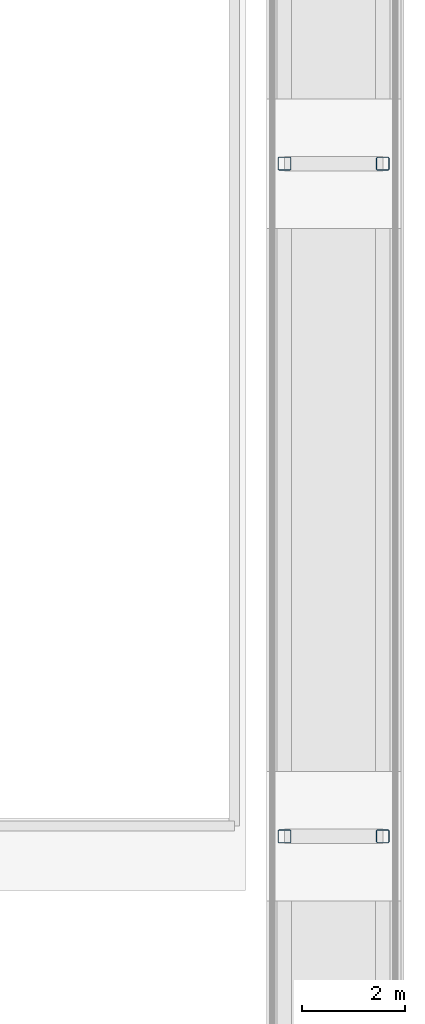
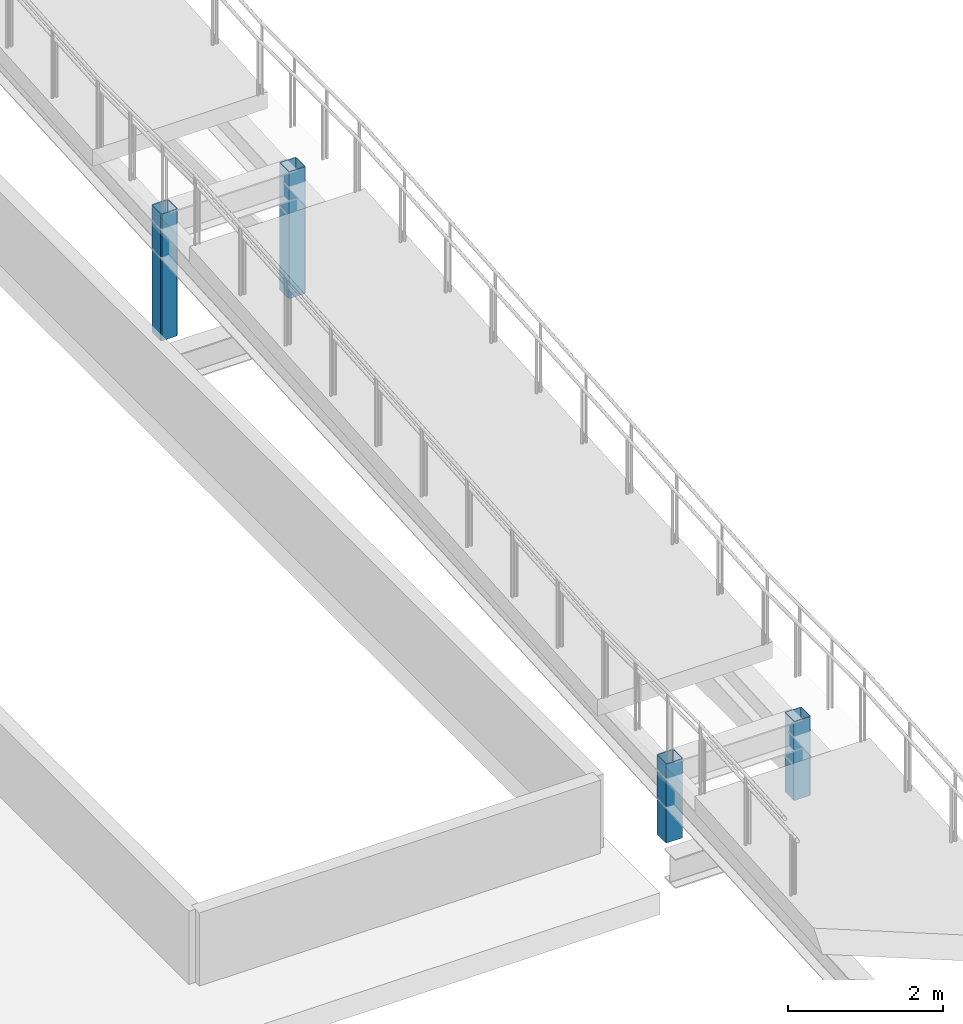
# One storey, part 13 of 129: 4 columns.
"""IFC4 building model written with IfcOpenShell, lengths in metres."""

from ifc_helpers import new_model, si_unit, direction, frame, origin, origin_2d, place, context, subcontext, project, spatial, hollow_rectangle, extrude, material, material_profile, profile_set, type_object, element, save


model = new_model("IFC4")

# Units and contexts
model_context = context("Model", 3, precision=1e-05, world=origin(), true_north=direction((0.0, 1.0)))
body_context = subcontext(model_context, "Body", "Model", "MODEL_VIEW")
ifc_project = project(units=[si_unit("LENGTHUNIT", "METRE"), si_unit("AREAUNIT", "SQUARE_METRE"), si_unit("VOLUMEUNIT", "CUBIC_METRE"), si_unit("PLANEANGLEUNIT", "RADIAN"), si_unit("MASSUNIT", "GRAM", prefix="KILO")], contexts=[model_context])

# Site, building, storey
site_placement = place(None, origin())
site = spatial("IfcSite", under=ifc_project, at=site_placement, CompositionType="ELEMENT")
building_placement = place(site_placement, origin())
building = spatial("IfcBuilding", under=site, at=building_placement, Name="Vespera Passage Community Centre", CompositionType="ELEMENT")
storey_placement = place(building_placement, origin())
storey = spatial("IfcBuildingStorey", under=building, at=storey_placement, Name="L00", CompositionType="ELEMENT", Elevation=0.0)

# Columns
ifc_material = material(Name="Steel ASTM A500 Grade C", Category="steel")
ifc_material_profile = material_profile(ifc_material, hollow_rectangle(XDim=0.25390625, YDim=0.25390625, WallThickness=0.01171875, InnerFilletRadius=0.01171875, OuterFilletRadius=0.023681640625, at=origin_2d()), Name="HSS254X254X12.7")
ifc_profile_set = profile_set([ifc_material_profile], Name="Steel ASTM A500 Grade C")
column_type = type_object("IfcColumnType", Name="COL-HSS254E", PredefinedType="COLUMN", material=ifc_profile_set)
for number, where, z_axis, x_axis, name in (
    (1, (161.550048828125, 44.050048828125, 0.0), (0.0, 0.0, 1.0), (1.0, 0.0, 0.0), "L00 Pier RB1-P02-1"),
    (2, (163.449951171875, 44.050048828125, 0.0), (0.0, 0.0, 1.0), (1.0, 0.0, 0.0), "L00 Pier RB1-P02-2"),
):
    element("IfcColumn", number, at=place(storey_placement, frame(where, z_axis=z_axis, x_axis=x_axis)), inside=storey, type_object=column_type, Name=name, PredefinedType="COLUMN", context=body_context, shape_type="SweptSolid", body=[
        extrude(hollow_rectangle(XDim=0.25390625, YDim=0.25390625, WallThickness=0.01171875, InnerFilletRadius=0.01171875, OuterFilletRadius=0.023681640625, at=origin_2d()), origin(), (0.0, 0.0, 1.0), 1.239990234375),
    ])
for number, where, z_axis, x_axis, name in (
    (3, (161.550048828125, 57.050048828125, 0.0), (0.0, 0.0, 1.0), (1.0, 0.0, 0.0), "L00 Pier RB1-P03-1"),
    (4, (163.449951171875, 57.050048828125, 0.0), (0.0, 0.0, 1.0), (1.0, 0.0, 0.0), "L00 Pier RB1-P03-2"),
):
    element("IfcColumn", number, at=place(storey_placement, frame(where, z_axis=z_axis, x_axis=x_axis)), inside=storey, type_object=column_type, Name=name, PredefinedType="COLUMN", context=body_context, shape_type="SweptSolid", body=[
        extrude(hollow_rectangle(XDim=0.25390625, YDim=0.25390625, WallThickness=0.01171875, InnerFilletRadius=0.01171875, OuterFilletRadius=0.023681640625, at=origin_2d()), origin(), (0.0, 0.0, 1.0), 1.989990234375),
    ])

save(model, "model.ifc")
